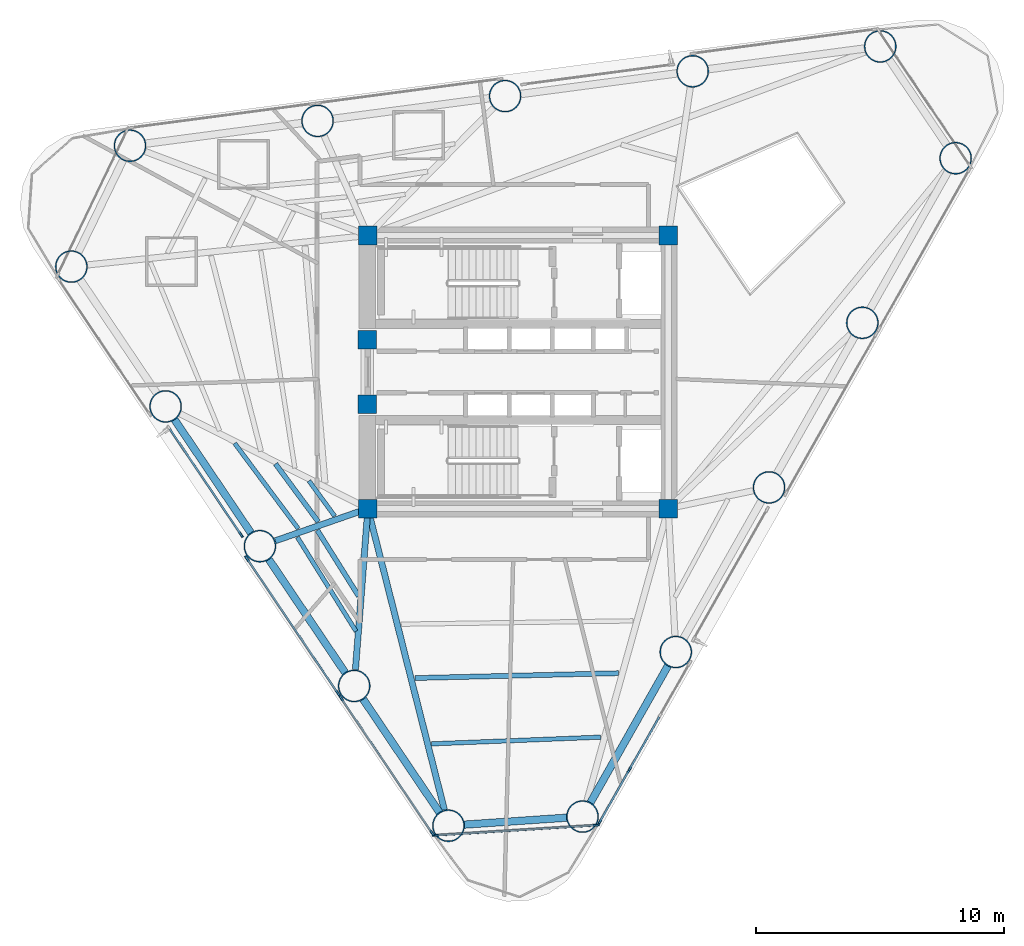
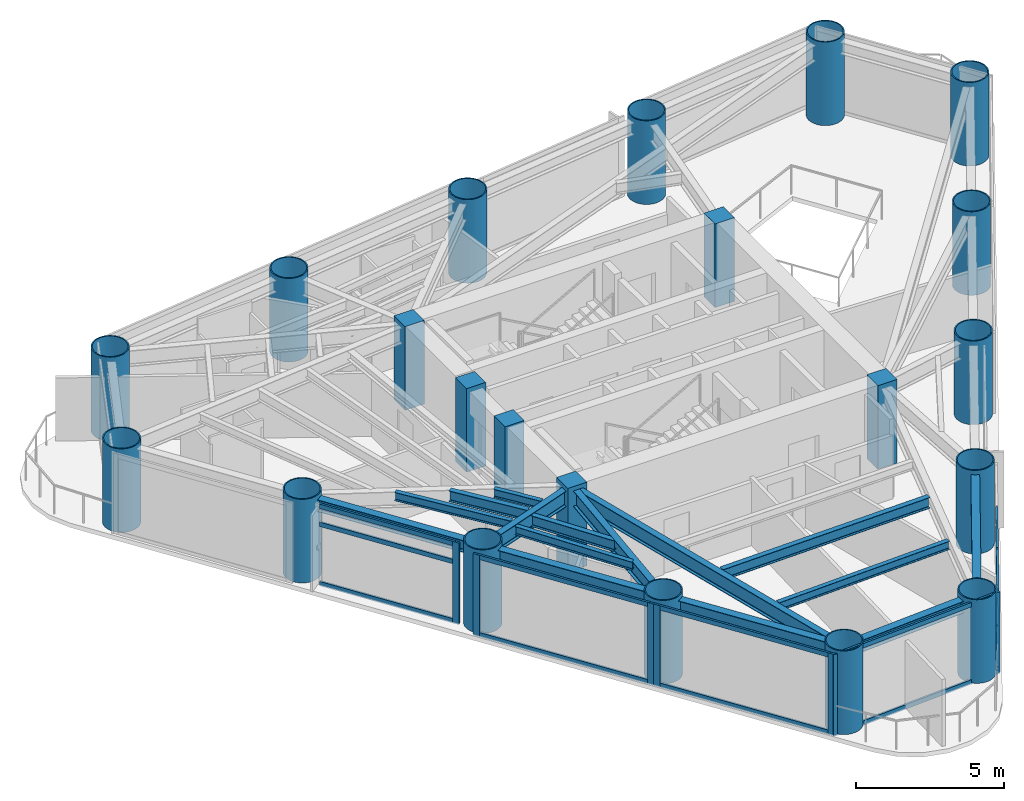
# One storey, part 1 of 9: 24 members, 21 columns, 15 beams, 5 elements without a shape of their own.
"""IFC4 building model written with IfcOpenShell, lengths in metres."""

from ifc_helpers import new_model, si_unit, direction, frame, origin, origin_2d, place, context, subcontext, project, spatial, rectangle, hollow_circle, i_section, extrude, source, transform, mapped, material, layer, layer_set, material_profile, profile_set, type_object, element, aggregate, save


model = new_model("IFC4")

# Units and contexts
model_context = context("Model", 3, precision=1e-05, world=origin(), true_north=direction((0.0, 1.0)))
body_context = subcontext(model_context, "Body", "Model", "MODEL_VIEW")
ifc_project = project(units=[si_unit("LENGTHUNIT", "METRE"), si_unit("AREAUNIT", "SQUARE_METRE"), si_unit("VOLUMEUNIT", "CUBIC_METRE"), si_unit("PLANEANGLEUNIT", "RADIAN"), si_unit("MASSUNIT", "GRAM", prefix="KILO")], contexts=[model_context])

# Site, building, storey
site_placement = place(None, origin())
site = spatial("IfcSite", under=ifc_project, at=site_placement, CompositionType="ELEMENT")
building_placement = place(site_placement, origin())
building = spatial("IfcBuilding", under=site, at=building_placement, Name="Yunling Apex Tower", CompositionType="ELEMENT")
storey_placement = place(building_placement, frame((0.0, 0.0, 172.550048828125)))
storey = spatial("IfcBuildingStorey", under=building, at=storey_placement, Name="L42", CompositionType="ELEMENT", Elevation=172.550048828125)

# Columns
ifc_material_1 = material(Name="Concrete C50", Category="concrete")
ifc_material_profile_1 = material_profile(ifc_material_1, rectangle(XDim=0.75, YDim=0.75, at=origin_2d()))
ifc_profile_set_1 = profile_set([ifc_material_profile_1], Name="Concrete C50")
column_type_1 = type_object("IfcColumnType", Name="PC-SRC-4", PredefinedType="COLUMN", material=ifc_profile_set_1)
shared_shape_1 = source(origin(), body_context, "Body", "SweptSolid", [
    extrude(rectangle(XDim=0.75, YDim=0.75, at=origin_2d()), origin(), (0.0, 0.0, 1.0), 3.449951171875),
])
for number, where, z_axis, x_axis, name in (
    (1, (-6.050048828125, -5.5, 0.0), (0.0, 0.0, 1.0), (1.0, 0.0, 0.0), "L42 Core Spine Column CC-SW"),
    (2, (6.050048828125, -5.5, 0.0), (0.0, 0.0, 1.0), (1.0, 0.0, 0.0), "L42 Core Spine Column CC-SE"),
    (3, (6.050048828125, 5.5, 0.0), (0.0, 0.0, 1.0), (1.0, 0.0, 0.0), "L42 Core Spine Column CC-NE"),
    (4, (-6.050048828125, 5.5, 0.0), (0.0, 0.0, 1.0), (1.0, 0.0, 0.0), "L42 Core Spine Column CC-NW"),
    (5, (-6.074951171875, -1.300048828125, 0.0), (0.0, 0.0, 1.0), (1.0, 0.0, 0.0), "L42 Core West Portal Jamb Column S"),
    (6, (-6.074951171875, 1.300048828125, 0.0), (0.0, 0.0, 1.0), (1.0, 0.0, 0.0), "L42 Core West Portal Jamb Column N"),
):
    element("IfcColumn", number, at=place(storey_placement, frame(where, z_axis=z_axis, x_axis=x_axis)), inside=storey, type_object=column_type_1, Name=name, PredefinedType="COLUMN", context=body_context, shape_type="MappedRepresentation", body=[
        mapped(shared_shape_1, transform((0.0, 0.0, 0.0), scale=1.0)),
    ])
ifc_material_2 = material(Name="Steel Q390GJC", Category="steel")
ifc_material_profile_2 = material_profile(ifc_material_2, hollow_circle(Radius=0.64990234375, WallThickness=0.044921875, at=origin_2d()))
ifc_profile_set_2 = profile_set([ifc_material_profile_2], Name="Steel Q390GJC")
column_type_2 = type_object("IfcColumnType", Name="MC-CFST-3", PredefinedType="COLUMN", material=ifc_profile_set_2)
shared_shape_2 = source(origin(), body_context, "Body", "SweptSolid", [
    extrude(hollow_circle(Radius=0.64990234375, WallThickness=0.044921875, at=origin_2d()), origin(), (0.0, 0.0, 1.0), 3.449951171875),
])
for number, where, z_axis, x_axis, name in (
    (7, (2.5947265625, -17.907958984375, 0.0), (0.0, 0.0, 1.0), (1.0, 0.0, 0.0), "L42 Perimeter CFST Mega-Column P01"),
    (8, (6.351806640625, -11.27783203125, 0.0), (0.0, 0.0, 1.0), (1.0, 0.0, 0.0), "L42 Perimeter CFST Mega-Column P02"),
    (9, (10.109130859375, -4.64794921875, 0.0), (0.0, 0.0, 1.0), (1.0, 0.0, 0.0), "L42 Perimeter CFST Mega-Column P03"),
    (10, (13.8662109375, 1.982177734375, 0.0), (0.0, 0.0, 1.0), (1.0, 0.0, 0.0), "L42 Perimeter CFST Mega-Column P04"),
    (11, (17.62353515625, 8.612060546875, 0.0), (0.0, 0.0, 1.0), (1.0, 0.0, 0.0), "L42 Perimeter CFST Mega-Column P05"),
    (12, (14.5869140625, 13.114013671875, 0.0), (0.0, 0.0, 1.0), (1.0, 0.0, 0.0), "L42 Perimeter CFST Mega-Column P06"),
    (13, (7.0322265625, 12.114013671875, 0.0), (0.0, 0.0, 1.0), (1.0, 0.0, 0.0), "L42 Perimeter CFST Mega-Column P07"),
    (14, (-0.5224609375, 11.114013671875, 0.0), (0.0, 0.0, 1.0), (1.0, 0.0, 0.0), "L42 Perimeter CFST Mega-Column P08"),
    (15, (-8.0771484375, 10.1142578125, 0.0), (0.0, 0.0, 1.0), (1.0, 0.0, 0.0), "L42 Perimeter CFST Mega-Column P09"),
    (16, (-15.6318359375, 9.1142578125, 0.0), (0.0, 0.0, 1.0), (1.0, 0.0, 0.0), "L42 Perimeter CFST Mega-Column P10"),
    (17, (-17.9951171875, 4.2451171875, 0.0), (0.0, 0.0, 1.0), (1.0, 0.0, 0.0), "L42 Perimeter CFST Mega-Column P11"),
    (18, (-14.197509765625, -1.384765625, 0.0), (0.0, 0.0, 1.0), (1.0, 0.0, 0.0), "L42 Perimeter CFST Mega-Column P12"),
    (19, (-10.39990234375, -7.014892578125, 0.0), (0.0, 0.0, 1.0), (1.0, 0.0, 0.0), "L42 Perimeter CFST Mega-Column P13"),
    (20, (-6.6025390625, -12.64501953125, 0.0), (0.0, 0.0, 1.0), (1.0, 0.0, 0.0), "L42 Perimeter CFST Mega-Column P14"),
    (21, (-2.804931640625, -18.27490234375, 0.0), (0.0, 0.0, 1.0), (1.0, 0.0, 0.0), "L42 Perimeter CFST Mega-Column P15"),
):
    element("IfcColumn", number, at=place(storey_placement, frame(where, z_axis=z_axis, x_axis=x_axis)), inside=storey, type_object=column_type_2, Name=name, PredefinedType="COLUMN", context=body_context, shape_type="MappedRepresentation", body=[
        mapped(shared_shape_2, transform((0.0, 0.0, 0.0), scale=1.0)),
    ])

# Beams
ifc_material_3 = material(Name="Steel Q355B", Category="steel")
ifc_material_profile_3 = material_profile(ifc_material_3, i_section(OverallWidth=0.300048828125, OverallDepth=0.489990234375, WebThickness=0.010986328125, FlangeThickness=0.01806640625, FilletRadius=0.02197265625, at=origin_2d()))
ifc_profile_set_3 = profile_set([ifc_material_profile_3], Name="Steel Q355B")
beam_type_1 = type_object("IfcBeamType", Name="BP-SPN-2", PredefinedType="SPANDREL", material=ifc_profile_set_3)
shared_shape_3 = source(origin(), body_context, "Body", "SweptSolid", [
    extrude(i_section(OverallWidth=0.300048828125, OverallDepth=0.489990234375, WebThickness=0.010986328125, FlangeThickness=0.01806640625, FilletRadius=0.02197265625, at=origin_2d()), origin(), (0.0, 0.0, 1.0), 6.332763671875),
])
beam_1_placement = place(storey_placement, frame((2.912109375, -17.34765625, 3.02490234375), z_axis=(0.493042725972, 0.870005097897, 0.0), x_axis=(-0.870005097897, 0.493042725972, 0.0)))
element("IfcBeam", 22, at=beam_1_placement, inside=storey, type_object=beam_type_1, Name="L42 Perimeter Spandrel Beam 1", PredefinedType="SPANDREL", context=body_context, shape_type="MappedRepresentation", body=[
    mapped(shared_shape_3, transform((0.0, 0.0, 0.0), scale=1.0)),
])
shared_shape_4 = source(origin(), body_context, "Body", "SweptSolid", [
    extrude(i_section(OverallWidth=0.300048828125, OverallDepth=0.489990234375, WebThickness=0.010986328125, FlangeThickness=0.01806640625, FilletRadius=0.02197265625, at=origin_2d()), origin(), (0.0, 0.0, 1.0), 5.5029296875),
])
beam_2_placement = place(storey_placement, frame((-10.039794921875, -7.548828125, 3.02490234375), z_axis=(0.559176417619, -0.829048692164, 0.0), x_axis=(0.829048692164, 0.559176417619, 0.0)))
element("IfcBeam", 23, at=beam_2_placement, inside=storey, type_object=beam_type_1, Name="L42 Perimeter Spandrel Beam 13", PredefinedType="SPANDREL", context=body_context, shape_type="MappedRepresentation", body=[
    mapped(shared_shape_4, transform((0.0, 0.0, 0.0), scale=1.0)),
])
shared_shape_5 = source(origin(), body_context, "Body", "SweptSolid", [
    extrude(i_section(OverallWidth=0.300048828125, OverallDepth=0.489990234375, WebThickness=0.010986328125, FlangeThickness=0.01806640625, FilletRadius=0.02197265625, at=origin_2d()), origin(), (0.0, 0.0, 1.0), 5.503173828125),
])
beam_3_placement = place(storey_placement, frame((-13.83740234375, -1.918701171875, 3.02490234375), z_axis=(0.55920690951, -0.82902812519, 0.0), x_axis=(0.82902812519, 0.55920690951, 0.0)))
element("IfcBeam", 24, at=beam_3_placement, inside=storey, type_object=beam_type_1, Name="L42 Perimeter Spandrel Beam 12", PredefinedType="SPANDREL", context=body_context, shape_type="MappedRepresentation", body=[
    mapped(shared_shape_5, transform((0.0, 0.0, 0.0), scale=1.0)),
])
shared_shape_6 = source(origin(), body_context, "Body", "SweptSolid", [
    extrude(i_section(OverallWidth=0.300048828125, OverallDepth=0.489990234375, WebThickness=0.010986328125, FlangeThickness=0.01806640625, FilletRadius=0.02197265625, at=origin_2d()), origin(), (0.0, 0.0, 1.0), 5.50341796875),
])
beam_4_placement = place(storey_placement, frame((-6.242431640625, -13.1787109375, 3.02490234375), z_axis=(0.55918634307, -0.829041997564, 0.0), x_axis=(0.829041997564, 0.55918634307, 0.0)))
element("IfcBeam", 25, at=beam_4_placement, inside=storey, type_object=beam_type_1, Name="L42 Perimeter Spandrel Beam 14", PredefinedType="SPANDREL", context=body_context, shape_type="MappedRepresentation", body=[
    mapped(shared_shape_6, transform((0.0, 0.0, 0.0), scale=1.0)),
])
shared_shape_7 = source(origin(), body_context, "Body", "SweptSolid", [
    extrude(i_section(OverallWidth=0.300048828125, OverallDepth=0.489990234375, WebThickness=0.010986328125, FlangeThickness=0.01806640625, FilletRadius=0.02197265625, at=origin_2d()), origin(), (0.0, 0.0, 1.0), 4.124267578125),
])
beam_5_placement = place(storey_placement, frame((-2.16259765625, -18.231201171875, 3.02490234375), z_axis=(0.997700280582, 0.067780160274, 0.0), x_axis=(-0.067780160274, 0.997700280582, 0.0)))
element("IfcBeam", 26, at=beam_5_placement, inside=storey, type_object=beam_type_1, Name="L42 Perimeter Spandrel Beam 15", PredefinedType="SPANDREL", context=body_context, shape_type="MappedRepresentation", body=[
    mapped(shared_shape_7, transform((0.0, 0.0, 0.0), scale=1.0)),
])
ifc_material_profile_4 = material_profile(ifc_material_3, i_section(OverallWidth=0.25, OverallDepth=0.64990234375, WebThickness=0.011962890625, FlangeThickness=0.02001953125, FilletRadius=0.02392578125, at=origin_2d()))
ifc_profile_set_4 = profile_set([ifc_material_profile_4], Name="Steel Q355B")
beam_type_2 = type_object("IfcBeamType", Name="BG-PRI-4", PredefinedType="USERDEFINED", material=ifc_profile_set_4)
shared_shape_8 = source(origin(), body_context, "Body", "SweptSolid", [
    extrude(i_section(OverallWidth=0.25, OverallDepth=0.64990234375, WebThickness=0.011962890625, FlangeThickness=0.02001953125, FilletRadius=0.02392578125, at=origin_2d()), origin(), (0.0, 0.0, 1.0), 3.8681640625),
])
beam_6_placement = place(storey_placement, frame((-9.778564453125, -6.798583984375, 2.945068359375), z_axis=(0.944369860351, 0.328885339991, 0.0), x_axis=(-0.328885339991, 0.944369860351, 0.0)))
element("IfcBeam", 27, at=beam_6_placement, inside=storey, type_object=beam_type_2, Name="L42 Radial Primary Girder R13", ObjectType="GIRDER", PredefinedType="USERDEFINED", context=body_context, shape_type="MappedRepresentation", body=[
    mapped(shared_shape_8, transform((0.0, 0.0, 0.0), scale=1.0)),
])
shared_shape_9 = source(origin(), body_context, "Body", "SweptSolid", [
    extrude(i_section(OverallWidth=0.25, OverallDepth=0.64990234375, WebThickness=0.011962890625, FlangeThickness=0.02001953125, FilletRadius=0.02392578125, at=origin_2d()), origin(), (0.0, 0.0, 1.0), 6.42822265625),
])
beam_7_placement = place(storey_placement, frame((-6.5517578125, -11.989013671875, 2.945068359375), z_axis=(0.077097282386, 0.997023574971, 0.0), x_axis=(-0.997023574971, 0.077097282386, 0.0)))
element("IfcBeam", 28, at=beam_7_placement, inside=storey, type_object=beam_type_2, Name="L42 Radial Primary Girder R14", ObjectType="GIRDER", PredefinedType="USERDEFINED", context=body_context, shape_type="MappedRepresentation", body=[
    mapped(shared_shape_9, transform((0.0, 0.0, 0.0), scale=1.0)),
])
shared_shape_10 = source(origin(), body_context, "Body", "SweptSolid", [
    extrude(i_section(OverallWidth=0.25, OverallDepth=0.64990234375, WebThickness=0.011962890625, FlangeThickness=0.02001953125, FilletRadius=0.02392578125, at=origin_2d()), origin(), (0.0, 0.0, 1.0), 12.44287109375),
])
beam_8_placement = place(storey_placement, frame((-2.967041015625, -17.63720703125, 2.945068359375), z_axis=(-0.246185736667, 0.969222669494, 0.0), x_axis=(-0.969222669494, -0.246185736667, 0.0)))
element("IfcBeam", 29, at=beam_8_placement, inside=storey, type_object=beam_type_2, Name="L42 Radial Primary Girder R15", ObjectType="GIRDER", PredefinedType="USERDEFINED", context=body_context, shape_type="MappedRepresentation", body=[
    mapped(shared_shape_10, transform((0.0, 0.0, 0.0), scale=1.0)),
])
ifc_material_profile_5 = material_profile(ifc_material_3, i_section(OverallWidth=0.199951171875, OverallDepth=0.449951171875, WebThickness=0.009033203125, FlangeThickness=0.013916015625, FilletRadius=0.01806640625, at=origin_2d()))
ifc_profile_set_5 = profile_set([ifc_material_profile_5], Name="Steel Q355B")
beam_type_3 = type_object("IfcBeamType", Name="BS-SEC-3", PredefinedType="BEAM", material=ifc_profile_set_5)
shared_shape_11 = source(origin(), body_context, "Body", "SweptSolid", [
    extrude(i_section(OverallWidth=0.199951171875, OverallDepth=0.449951171875, WebThickness=0.009033203125, FlangeThickness=0.013916015625, FilletRadius=0.01806640625, at=origin_2d()), origin(), (0.0, 0.0, 1.0), 2.900146484375),
])
beam_9_placement = place(storey_placement, frame((-9.770751953125, -3.701416015625, 3.044921875), z_axis=(0.594341352087, -0.804212880523, 0.0), x_axis=(0.804212880523, 0.594341352087, 0.0)))
element("IfcBeam", 30, at=beam_9_placement, inside=storey, type_object=beam_type_3, Name="L42 Composite Floor Beam BS-12", PredefinedType="BEAM", context=body_context, shape_type="MappedRepresentation", body=[
    mapped(shared_shape_11, transform((0.0, 0.0, 0.0), scale=1.0)),
])
ifc_material_profile_6 = material_profile(ifc_material_3, i_section(OverallWidth=0.175048828125, OverallDepth=0.35009765625, WebThickness=0.007080078125, FlangeThickness=0.010986328125, FilletRadius=0.013916015625, at=origin_2d()))
ifc_profile_set_6 = profile_set([ifc_material_profile_6], Name="Steel Q355B")
beam_type_4 = type_object("IfcBeamType", Name="BJ-JST-1", PredefinedType="JOIST", material=ifc_profile_set_6)
shared_shape_12 = source(origin(), body_context, "Body", "SweptSolid", [
    extrude(i_section(OverallWidth=0.175048828125, OverallDepth=0.35009765625, WebThickness=0.007080078125, FlangeThickness=0.010986328125, FilletRadius=0.013916015625, at=origin_2d()), origin(), (0.0, 0.0, 1.0), 4.2958984375),
])
beam_10_placement = place(storey_placement, frame((-11.417724609375, -2.868896484375, 3.094970703125), z_axis=(0.597405367493, -0.801939415972, 0.0), x_axis=(0.801939415972, 0.597405367493, 0.0)))
element("IfcBeam", 31, at=beam_10_placement, inside=storey, type_object=beam_type_4, Name="L42 Composite Floor Joist BJ1-12", PredefinedType="JOIST", context=body_context, shape_type="MappedRepresentation", body=[
    mapped(shared_shape_12, transform((0.0, 0.0, 0.0), scale=1.0)),
])
shared_shape_13 = source(origin(), body_context, "Body", "SweptSolid", [
    extrude(i_section(OverallWidth=0.175048828125, OverallDepth=0.35009765625, WebThickness=0.007080078125, FlangeThickness=0.010986328125, FilletRadius=0.013916015625, at=origin_2d()), origin(), (0.0, 0.0, 1.0), 1.75830078125),
])
beam_11_placement = place(storey_placement, frame((-8.423583984375, -4.3828125, 3.094970703125), z_axis=(0.58860919459, -0.808417723732, 0.0), x_axis=(0.808417723732, 0.58860919459, 0.0)))
element("IfcBeam", 32, at=beam_11_placement, inside=storey, type_object=beam_type_4, Name="L42 Composite Floor Joist BJ3-12", PredefinedType="JOIST", context=body_context, shape_type="MappedRepresentation", body=[
    mapped(shared_shape_13, transform((0.0, 0.0, 0.0), scale=1.0)),
])
shared_shape_14 = source(origin(), body_context, "Body", "SweptSolid", [
    extrude(i_section(OverallWidth=0.199951171875, OverallDepth=0.449951171875, WebThickness=0.009033203125, FlangeThickness=0.013916015625, FilletRadius=0.01806640625, at=origin_2d()), origin(), (0.0, 0.0, 1.0), 3.138427734375),
])
beam_12_placement = place(storey_placement, frame((-8.086181640625, -6.374267578125, 3.044921875), z_axis=(0.531291876234, -0.847188846862, 0.0), x_axis=(0.847188846862, 0.531291876234, 0.0)))
element("IfcBeam", 33, at=beam_12_placement, inside=storey, type_object=beam_type_3, Name="L42 Composite Floor Beam BS-13", PredefinedType="BEAM", context=body_context, shape_type="MappedRepresentation", body=[
    mapped(shared_shape_14, transform((0.0, 0.0, 0.0), scale=1.0)),
])
shared_shape_15 = source(origin(), body_context, "Body", "SweptSolid", [
    extrude(i_section(OverallWidth=0.175048828125, OverallDepth=0.35009765625, WebThickness=0.007080078125, FlangeThickness=0.010986328125, FilletRadius=0.013916015625, at=origin_2d()), origin(), (0.0, 0.0, 1.0), 4.46533203125),
])
beam_13_placement = place(storey_placement, frame((-8.890380859375, -6.654296875, 3.094970703125), z_axis=(0.529197625192, -0.848498599581, 0.0), x_axis=(0.848498599581, 0.529197625192, 0.0)))
element("IfcBeam", 34, at=beam_13_placement, inside=storey, type_object=beam_type_4, Name="L42 Composite Floor Joist BJ1-13", PredefinedType="JOIST", context=body_context, shape_type="MappedRepresentation", body=[
    mapped(shared_shape_15, transform((0.0, 0.0, 0.0), scale=1.0)),
])
shared_shape_16 = source(origin(), body_context, "Body", "SweptSolid", [
    extrude(i_section(OverallWidth=0.199951171875, OverallDepth=0.449951171875, WebThickness=0.009033203125, FlangeThickness=0.013916015625, FilletRadius=0.01806640625, at=origin_2d()), origin(), (0.0, 0.0, 1.0), 8.20166015625),
])
beam_14_placement = place(storey_placement, frame((-4.15478515625, -12.3271484375, 3.044921875), z_axis=(0.999714273785, 0.023903363562, 0.0), x_axis=(-0.023903363562, 0.999714273785, 0.0)))
element("IfcBeam", 35, at=beam_14_placement, inside=storey, type_object=beam_type_3, Name="L42 Composite Floor Beam BS-15", PredefinedType="BEAM", context=body_context, shape_type="MappedRepresentation", body=[
    mapped(shared_shape_16, transform((0.0, 0.0, 0.0), scale=1.0)),
])
shared_shape_17 = source(origin(), body_context, "Body", "SweptSolid", [
    extrude(i_section(OverallWidth=0.175048828125, OverallDepth=0.35009765625, WebThickness=0.007080078125, FlangeThickness=0.010986328125, FilletRadius=0.013916015625, at=origin_2d()), origin(), (0.0, 0.0, 1.0), 6.814453125),
])
beam_15_placement = place(storey_placement, frame((-3.481201171875, -14.977783203125, 3.094970703125), z_axis=(0.999210374008, 0.039731957862, 0.0), x_axis=(-0.039731957862, 0.999210374008, 0.0)))
element("IfcBeam", 36, at=beam_15_placement, inside=storey, type_object=beam_type_4, Name="L42 Composite Floor Joist BJ1-15", PredefinedType="JOIST", context=body_context, shape_type="MappedRepresentation", body=[
    mapped(shared_shape_17, transform((0.0, 0.0, 0.0), scale=1.0)),
])

# Curtain wall, members
ifc_material_4 = material(Name="Bronze anodised aluminium", Category="aluminium")
ifc_layer = layer(ifc_material_4, 0.239990234375)
ifc_layer_set = layer_set([ifc_layer], Name="Bronze anodised aluminium")
curtain_wall_type = type_object("IfcCurtainWallType", Name="CW-SYS-3", PredefinedType="NOTDEFINED", material=ifc_layer_set)
curtain_wall_1_placement = place(storey_placement, origin())
curtain_wall_1 = element("IfcCurtainWall", 37, at=curtain_wall_1_placement, inside=storey, type_object=curtain_wall_type, Name="CW-L42-F1-B1", PredefinedType="NOTDEFINED")
ifc_material_profile_7 = material_profile(ifc_material_4, rectangle(XDim=0.080078125, YDim=0.239990234375, at=origin_2d()))
ifc_profile_set_7 = profile_set([ifc_material_profile_7], Name="Bronze anodised aluminium")
member_type_1 = type_object("IfcMemberType", Name="CW-MUL-3", PredefinedType="MULLION", material=ifc_profile_set_7)
shared_shape_18 = source(origin(), body_context, "Body", "SweptSolid", [
    extrude(rectangle(XDim=0.080078125, YDim=0.239990234375, at=origin_2d()), origin(), (0.0, 0.0, 1.0), 3.3701171875),
])
member_1_placement = place(storey_placement, frame((3.271484375, -18.153564453125, -0.050048828125), z_axis=(0.0, 0.0, 1.0), x_axis=(-0.870006087438, 0.493040979859, 0.0)))
member_1 = element("IfcMember", 38, at=member_1_placement, type_object=member_type_1, Name="CW-SYS-3 mullion 1", PredefinedType="MULLION", context=body_context, shape_type="MappedRepresentation", body=[
    mapped(shared_shape_18, transform((0.0, 0.0, 0.0), scale=1.0)),
])
member_2_placement = place(storey_placement, frame((4.47802734375, -16.02490234375, -0.050048828125), z_axis=(0.0, 0.0, 1.0), x_axis=(-0.870006087438, 0.493040979859, 0.0)))
member_2 = element("IfcMember", 39, at=member_2_placement, type_object=member_type_1, Name="CW-SYS-3 mullion 2", PredefinedType="MULLION", context=body_context, shape_type="MappedRepresentation", body=[
    mapped(shared_shape_18, transform((0.0, 0.0, 0.0), scale=1.0)),
])

# Curtain wall, member
curtain_wall_2_placement = place(storey_placement, origin())
curtain_wall_2 = element("IfcCurtainWall", 40, at=curtain_wall_2_placement, inside=storey, type_object=curtain_wall_type, Name="CW-L42-F3-B2", PredefinedType="NOTDEFINED")
member_3_placement = place(storey_placement, frame((-11.15966796875, -6.55029296875, -0.050048828125), z_axis=(0.0, 0.0, 1.0), x_axis=(0.829026137089, 0.559209856873, 0.0)))
member_3 = element("IfcMember", 41, at=member_3_placement, type_object=member_type_1, Name="CW-SYS-3 mullion 2", PredefinedType="MULLION", context=body_context, shape_type="MappedRepresentation", body=[
    mapped(shared_shape_18, transform((0.0, 0.0, 0.0), scale=1.0)),
])

# Curtain wall, members
curtain_wall_3_placement = place(storey_placement, origin())
curtain_wall_3 = element("IfcCurtainWall", 42, at=curtain_wall_3_placement, inside=storey, type_object=curtain_wall_type, Name="CW-L42-F3-B3", PredefinedType="NOTDEFINED")
member_4_placement = place(storey_placement, frame((-10.921630859375, -7.511474609375, -0.050048828125), z_axis=(0.0, 0.0, 1.0), x_axis=(0.829040587205, 0.559188434042, 0.0)))
member_4 = element("IfcMember", 43, at=member_4_placement, type_object=member_type_1, Name="CW-SYS-3 mullion 1", PredefinedType="MULLION", context=body_context, shape_type="MappedRepresentation", body=[
    mapped(shared_shape_18, transform((0.0, 0.0, 0.0), scale=1.0)),
])
member_5_placement = place(storey_placement, frame((-7.25830078125, -12.9423828125, -0.050048828125), z_axis=(0.0, 0.0, 1.0), x_axis=(0.829040587205, 0.559188434042, 0.0)))
member_5 = element("IfcMember", 44, at=member_5_placement, type_object=member_type_1, Name="CW-SYS-3 mullion 2", PredefinedType="MULLION", context=body_context, shape_type="MappedRepresentation", body=[
    mapped(shared_shape_18, transform((0.0, 0.0, 0.0), scale=1.0)),
])

curtain_wall_4_placement = place(storey_placement, origin())
curtain_wall_4 = element("IfcCurtainWall", 45, at=curtain_wall_4_placement, inside=storey, type_object=curtain_wall_type, Name="CW-L42-F3-B4", PredefinedType="NOTDEFINED")
member_6_placement = place(storey_placement, frame((-7.1240234375, -13.141357421875, -0.050048828125), z_axis=(0.0, 0.0, 1.0), x_axis=(0.829045302692, 0.559181442901, 0.0)))
member_6 = element("IfcMember", 46, at=member_6_placement, type_object=member_type_1, Name="CW-SYS-3 mullion 1", PredefinedType="MULLION", context=body_context, shape_type="MappedRepresentation", body=[
    mapped(shared_shape_18, transform((0.0, 0.0, 0.0), scale=1.0)),
])
member_7_placement = place(storey_placement, frame((-3.460693359375, -18.572509765625, -0.050048828125), z_axis=(0.0, 0.0, 1.0), x_axis=(0.829045302692, 0.559181442901, 0.0)))
member_7 = element("IfcMember", 47, at=member_7_placement, type_object=member_type_1, Name="CW-SYS-3 mullion 2", PredefinedType="MULLION", context=body_context, shape_type="MappedRepresentation", body=[
    mapped(shared_shape_18, transform((0.0, 0.0, 0.0), scale=1.0)),
])

curtain_wall_5_placement = place(storey_placement, origin())
curtain_wall_5 = element("IfcCurtainWall", 48, at=curtain_wall_5_placement, inside=storey, type_object=curtain_wall_type, Name="CW-L42-CRN3", PredefinedType="NOTDEFINED")
member_8_placement = place(storey_placement, frame((-3.337158203125, -18.658203125, -0.050048828125), z_axis=(0.0, 0.0, 1.0), x_axis=(-0.062672311308, 0.998034158431, 0.0)))
member_8 = element("IfcMember", 49, at=member_8_placement, type_object=member_type_1, Name="CW-SYS-3 mullion 1", PredefinedType="MULLION", context=body_context, shape_type="MappedRepresentation", body=[
    mapped(shared_shape_18, transform((0.0, 0.0, 0.0), scale=1.0)),
])
member_9_placement = place(storey_placement, frame((3.155029296875, -18.25048828125, -0.050048828125), z_axis=(0.0, 0.0, 1.0), x_axis=(-0.062672311308, 0.998034158431, 0.0)))
member_9 = element("IfcMember", 50, at=member_9_placement, type_object=member_type_1, Name="CW-SYS-3 mullion 2", PredefinedType="MULLION", context=body_context, shape_type="MappedRepresentation", body=[
    mapped(shared_shape_18, transform((0.0, 0.0, 0.0), scale=1.0)),
])

# Member
ifc_material_profile_8 = material_profile(ifc_material_4, rectangle(XDim=0.080078125, YDim=0.18505859375, at=origin_2d()))
ifc_profile_set_8 = profile_set([ifc_material_profile_8], Name="Bronze anodised aluminium")
member_type_2 = type_object("IfcMemberType", Name="CW-TRN-3", PredefinedType="USERDEFINED", material=ifc_profile_set_8)
shared_shape_19 = source(origin(), body_context, "Body", "SweptSolid", [
    extrude(rectangle(XDim=0.080078125, YDim=0.18505859375, at=origin_2d()), origin(), (0.0, 0.0, 1.0), 2.374755859375),
])
member_10_placement = place(storey_placement, frame((3.289306640625, -18.122314453125, 0.0400390625), z_axis=(0.493035916127, 0.870008957085, 0.0), x_axis=(-0.870008957085, 0.493035916127, 0.0)))
member_10 = element("IfcMember", 51, at=member_10_placement, type_object=member_type_2, Name="CW-SYS-3 transom 1.1", ObjectType="TRANSOM", PredefinedType="USERDEFINED", context=body_context, shape_type="MappedRepresentation", body=[
    mapped(shared_shape_19, transform((0.0, 0.0, 0.0), scale=1.0)),
])

member_11_placement = place(storey_placement, frame((3.289306640625, -18.122314453125, 2.485107421875), z_axis=(0.493035916127, 0.870008957085, 0.0), x_axis=(-0.870008957085, 0.493035916127, 0.0)))
member_11 = element("IfcMember", 52, at=member_11_placement, type_object=member_type_2, Name="CW-SYS-3 transom 1.2", ObjectType="TRANSOM", PredefinedType="USERDEFINED", context=body_context, shape_type="MappedRepresentation", body=[
    mapped(shared_shape_19, transform((0.0, 0.0, 0.0), scale=1.0)),
])

member_12_placement = place(storey_placement, frame((3.289306640625, -18.122314453125, 3.22998046875), z_axis=(0.493035916127, 0.870008957085, 0.0), x_axis=(-0.870008957085, 0.493035916127, 0.0)))
member_12 = element("IfcMember", 53, at=member_12_placement, type_object=member_type_2, Name="CW-SYS-3 transom 1.3", ObjectType="TRANSOM", PredefinedType="USERDEFINED", context=body_context, shape_type="MappedRepresentation", body=[
    mapped(shared_shape_19, transform((0.0, 0.0, 0.0), scale=1.0)),
])

shared_shape_20 = source(origin(), body_context, "Body", "SweptSolid", [
    extrude(rectangle(XDim=0.080078125, YDim=0.18505859375, at=origin_2d()), origin(), (0.0, 0.0, 1.0), 2.414794921875),
])
member_13_placement = place(storey_placement, frame((4.49560546875, -15.993408203125, 0.0400390625), z_axis=(0.49307634424, 0.869986045147, 0.0), x_axis=(-0.869986045147, 0.49307634424, 0.0)))
member_13 = element("IfcMember", 54, at=member_13_placement, type_object=member_type_2, Name="CW-SYS-3 transom 2.1", ObjectType="TRANSOM", PredefinedType="USERDEFINED", context=body_context, shape_type="MappedRepresentation", body=[
    mapped(shared_shape_20, transform((0.0, 0.0, 0.0), scale=1.0)),
])

member_14_placement = place(storey_placement, frame((4.49560546875, -15.993408203125, 2.485107421875), z_axis=(0.49307634424, 0.869986045147, 0.0), x_axis=(-0.869986045147, 0.49307634424, 0.0)))
member_14 = element("IfcMember", 55, at=member_14_placement, type_object=member_type_2, Name="CW-SYS-3 transom 2.2", ObjectType="TRANSOM", PredefinedType="USERDEFINED", context=body_context, shape_type="MappedRepresentation", body=[
    mapped(shared_shape_20, transform((0.0, 0.0, 0.0), scale=1.0)),
])

member_15_placement = place(storey_placement, frame((4.49560546875, -15.993408203125, 3.22998046875), z_axis=(0.49307634424, 0.869986045147, 0.0), x_axis=(-0.869986045147, 0.49307634424, 0.0)))
member_15 = element("IfcMember", 56, at=member_15_placement, type_object=member_type_2, Name="CW-SYS-3 transom 2.3", ObjectType="TRANSOM", PredefinedType="USERDEFINED", context=body_context, shape_type="MappedRepresentation", body=[
    mapped(shared_shape_20, transform((0.0, 0.0, 0.0), scale=1.0)),
])

aggregate(curtain_wall_1, [member_1, member_2, member_10, member_11, member_12, member_13, member_14, member_15])

shared_shape_21 = source(origin(), body_context, "Body", "SweptSolid", [
    extrude(rectangle(XDim=0.080078125, YDim=0.18505859375, at=origin_2d()), origin(), (0.0, 0.0, 1.0), 6.43310546875),
])
member_16_placement = place(storey_placement, frame((-3.30126953125, -18.656005859375, 0.0400390625), z_axis=(0.998035114575, 0.062657083206, 0.0), x_axis=(-0.062657083206, 0.998035114575, 0.0)))
member_16 = element("IfcMember", 57, at=member_16_placement, type_object=member_type_2, Name="CW-SYS-3 transom 1.1", ObjectType="TRANSOM", PredefinedType="USERDEFINED", context=body_context, shape_type="MappedRepresentation", body=[
    mapped(shared_shape_21, transform((0.0, 0.0, 0.0), scale=1.0)),
])

member_17_placement = place(storey_placement, frame((-3.30126953125, -18.656005859375, 3.22998046875), z_axis=(0.998035114575, 0.062657083206, 0.0), x_axis=(-0.062657083206, 0.998035114575, 0.0)))
member_17 = element("IfcMember", 58, at=member_17_placement, type_object=member_type_2, Name="CW-SYS-3 transom 1.2", ObjectType="TRANSOM", PredefinedType="USERDEFINED", context=body_context, shape_type="MappedRepresentation", body=[
    mapped(shared_shape_21, transform((0.0, 0.0, 0.0), scale=1.0)),
])

aggregate(curtain_wall_5, [member_8, member_9, member_16, member_17])

shared_shape_22 = source(origin(), body_context, "Body", "SweptSolid", [
    extrude(rectangle(XDim=0.080078125, YDim=0.18505859375, at=origin_2d()), origin(), (0.0, 0.0, 1.0), 6.479248046875),
])
member_18_placement = place(storey_placement, frame((-7.10400390625, -13.171142578125, 0.0400390625), z_axis=(0.559179012054, -0.829046942265, 0.0), x_axis=(0.829046942265, 0.559179012054, 0.0)))
member_18 = element("IfcMember", 59, at=member_18_placement, type_object=member_type_2, Name="CW-SYS-3 transom 1.1", ObjectType="TRANSOM", PredefinedType="USERDEFINED", context=body_context, shape_type="MappedRepresentation", body=[
    mapped(shared_shape_22, transform((0.0, 0.0, 0.0), scale=1.0)),
])

member_19_placement = place(storey_placement, frame((-7.10400390625, -13.171142578125, 3.22998046875), z_axis=(0.559179012054, -0.829046942265, 0.0), x_axis=(0.829046942265, 0.559179012054, 0.0)))
member_19 = element("IfcMember", 60, at=member_19_placement, type_object=member_type_2, Name="CW-SYS-3 transom 1.2", ObjectType="TRANSOM", PredefinedType="USERDEFINED", context=body_context, shape_type="MappedRepresentation", body=[
    mapped(shared_shape_22, transform((0.0, 0.0, 0.0), scale=1.0)),
])

aggregate(curtain_wall_4, [member_6, member_7, member_18, member_19])

shared_shape_23 = source(origin(), body_context, "Body", "SweptSolid", [
    extrude(rectangle(XDim=0.080078125, YDim=0.18505859375, at=origin_2d()), origin(), (0.0, 0.0, 1.0), 5.09912109375),
])
member_20_placement = place(storey_placement, frame((-14.03125, -2.293212890625, 0.0400390625), z_axis=(0.559222026941, -0.829017927782, 0.0), x_axis=(0.829017927782, 0.559222026941, 0.0)))
member_20 = element("IfcMember", 61, at=member_20_placement, type_object=member_type_2, Name="CW-SYS-3 transom 1.1", ObjectType="TRANSOM", PredefinedType="USERDEFINED", context=body_context, shape_type="MappedRepresentation", body=[
    mapped(shared_shape_23, transform((0.0, 0.0, 0.0), scale=1.0)),
])

member_21_placement = place(storey_placement, frame((-14.03125, -2.293212890625, 2.485107421875), z_axis=(0.559222026941, -0.829017927782, 0.0), x_axis=(0.829017927782, 0.559222026941, 0.0)))
member_21 = element("IfcMember", 62, at=member_21_placement, type_object=member_type_2, Name="CW-SYS-3 transom 1.2", ObjectType="TRANSOM", PredefinedType="USERDEFINED", context=body_context, shape_type="MappedRepresentation", body=[
    mapped(shared_shape_23, transform((0.0, 0.0, 0.0), scale=1.0)),
])

member_22_placement = place(storey_placement, frame((-14.03125, -2.293212890625, 3.22998046875), z_axis=(0.559222026941, -0.829017927782, 0.0), x_axis=(0.829017927782, 0.559222026941, 0.0)))
member_22 = element("IfcMember", 63, at=member_22_placement, type_object=member_type_2, Name="CW-SYS-3 transom 1.3", ObjectType="TRANSOM", PredefinedType="USERDEFINED", context=body_context, shape_type="MappedRepresentation", body=[
    mapped(shared_shape_23, transform((0.0, 0.0, 0.0), scale=1.0)),
])

aggregate(curtain_wall_2, [member_3, member_20, member_21, member_22])

shared_shape_24 = source(origin(), body_context, "Body", "SweptSolid", [
    extrude(rectangle(XDim=0.080078125, YDim=0.18505859375, at=origin_2d()), origin(), (0.0, 0.0, 1.0), 6.47900390625),
])
member_23_placement = place(storey_placement, frame((-10.9013671875, -7.541259765625, 0.0400390625), z_axis=(0.559196480627, -0.829035159722, 0.0), x_axis=(0.829035159722, 0.559196480627, 0.0)))
member_23 = element("IfcMember", 64, at=member_23_placement, type_object=member_type_2, Name="CW-SYS-3 transom 1.1", ObjectType="TRANSOM", PredefinedType="USERDEFINED", context=body_context, shape_type="MappedRepresentation", body=[
    mapped(shared_shape_24, transform((0.0, 0.0, 0.0), scale=1.0)),
])

member_24_placement = place(storey_placement, frame((-10.9013671875, -7.541259765625, 3.22998046875), z_axis=(0.559196480627, -0.829035159722, 0.0), x_axis=(0.829035159722, 0.559196480627, 0.0)))
member_24 = element("IfcMember", 65, at=member_24_placement, type_object=member_type_2, Name="CW-SYS-3 transom 1.2", ObjectType="TRANSOM", PredefinedType="USERDEFINED", context=body_context, shape_type="MappedRepresentation", body=[
    mapped(shared_shape_24, transform((0.0, 0.0, 0.0), scale=1.0)),
])

aggregate(curtain_wall_3, [member_4, member_5, member_23, member_24])

save(model, "model.ifc")
